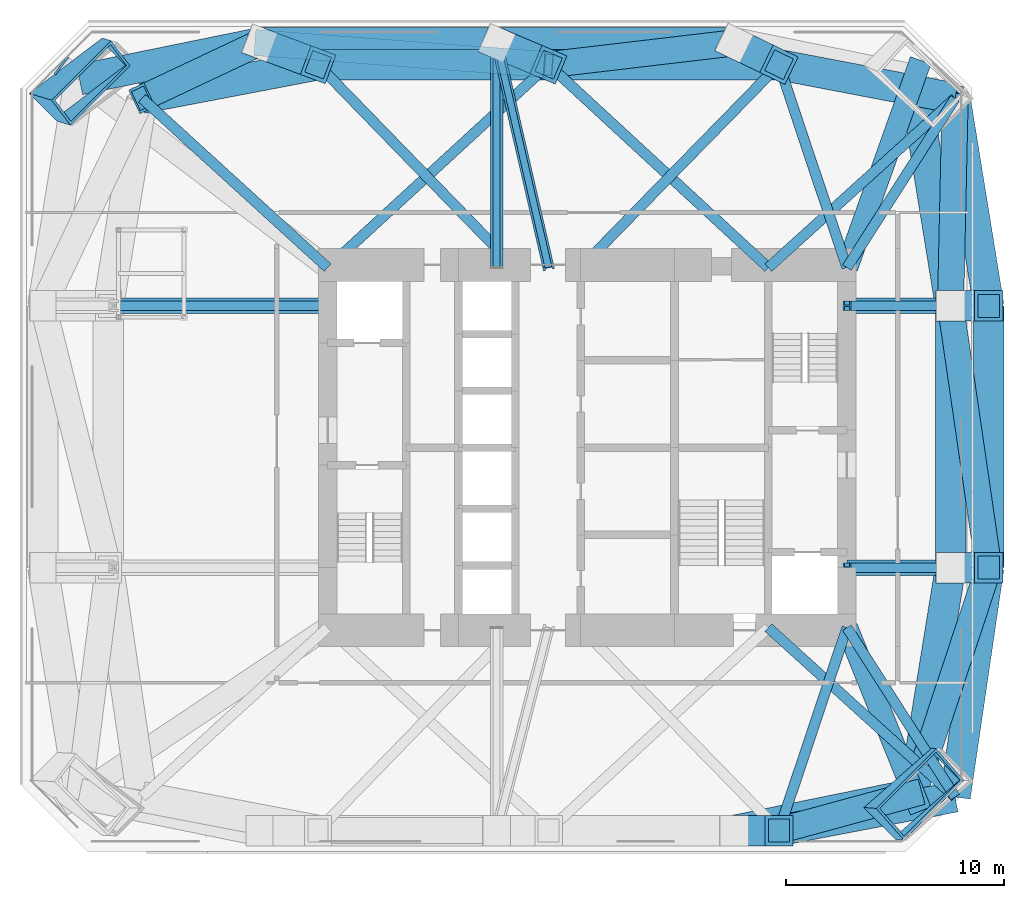
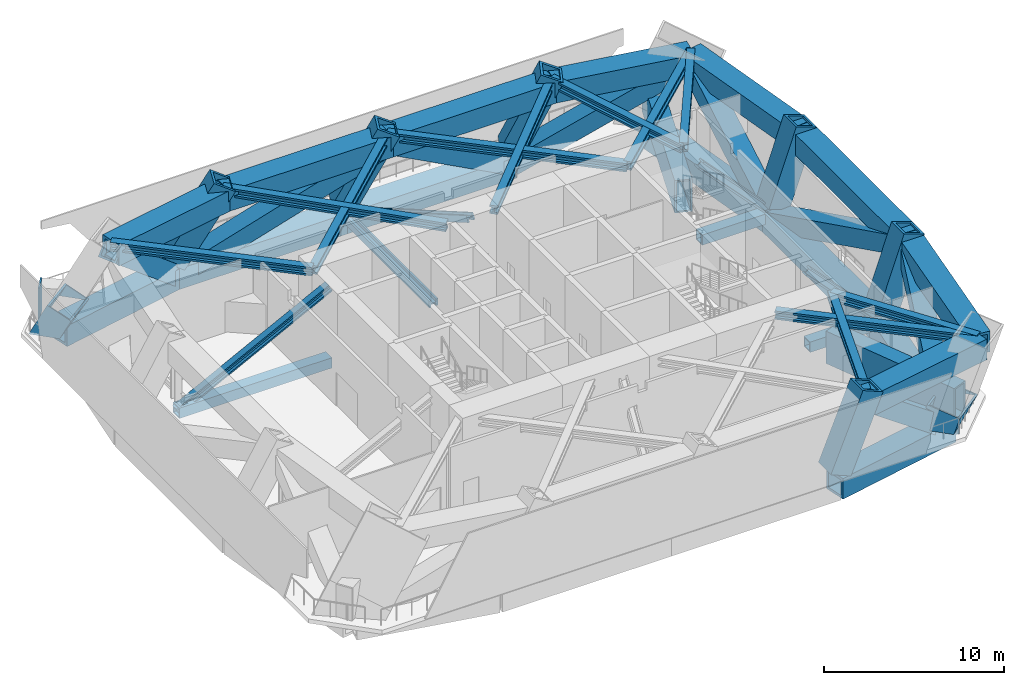
# One storey, part 2 of 11: 51 members, 2 beams.
"""IFC4 building model written with IfcOpenShell, lengths in metres."""

from ifc_helpers import new_model, si_unit, direction, frame, origin, origin_2d, place, context, subcontext, project, spatial, rectangle, hollow_rectangle, i_section, extrude, clip, halfspace, material, material_profile, profile_set, type_object, element, save


model = new_model("IFC4")

# Units and contexts
model_context = context("Model", 3, precision=1e-05, world=origin(), true_north=direction((0.0, 1.0)))
body_context = subcontext(model_context, "Body", "Model", "MODEL_VIEW")
ifc_project = project(units=[si_unit("LENGTHUNIT", "METRE"), si_unit("AREAUNIT", "SQUARE_METRE"), si_unit("VOLUMEUNIT", "CUBIC_METRE"), si_unit("PLANEANGLEUNIT", "RADIAN"), si_unit("MASSUNIT", "GRAM", prefix="KILO")], contexts=[model_context])

# Site, building, storey
site_placement = place(None, origin())
site = spatial("IfcSite", under=ifc_project, at=site_placement, CompositionType="ELEMENT")
building_placement = place(site_placement, origin())
building = spatial("IfcBuilding", under=site, at=building_placement, Name="Jalousie Tower", CompositionType="ELEMENT")
storey_placement = place(building_placement, frame((0.0, 0.0, 144.35009765625)))
storey = spatial("IfcBuildingStorey", under=building, at=storey_placement, Name="L39", CompositionType="ELEMENT", Elevation=144.35009765625)

# Members
ifc_material_1 = material(Name="Steel EN 10025-2 S355J2 plate", Category="steel")
ifc_material_profile_1 = material_profile(ifc_material_1, hollow_rectangle(XDim=1.39990234375, YDim=1.39990234375, WallThickness=0.175048828125, at=origin_2d()), Name="BOX 1400x1400x175")
ifc_profile_set_1 = profile_set([ifc_material_profile_1], Name="Steel EN 10025-2 S355J2 plate")
member_type_1 = type_object("IfcMemberType", Name="BELT TRUSS CHORD BOX 1400x1400x175", PredefinedType="CHORD", material=ifc_profile_set_1)
member_1_placement = place(storey_placement, frame((38.625, 0.949951171875, -0.97998046875), z_axis=(0.97982690954, 0.199848010602, 0.0), x_axis=(-0.199848010602, 0.97982690954, 0.0)))
element("IfcMember", 1, at=member_1_placement, inside=storey, type_object=member_type_1, Name="Belt truss T2 04-05 chord L39", PredefinedType="CHORD", context=body_context, shape_type="SweptSolid", body=[
    extrude(hollow_rectangle(XDim=1.39990234375, YDim=1.39990234375, WallThickness=0.175048828125, at=origin_2d()), origin(), (0.0, 0.0, 1.0), 8.413330078125),
])
member_2_placement = place(storey_placement, frame((40.6875, 0.949951171875, 4.02001953125), z_axis=(0.982284440506, 0.187396045689, 0.0), x_axis=(-0.187396045689, 0.982284440506, 0.0)))
element("IfcMember", 2, at=member_2_placement, inside=storey, type_object=member_type_1, Name="Belt truss T2 04-05 chord L40", PredefinedType="CHORD", context=body_context, shape_type="SweptSolid", body=[
    extrude(hollow_rectangle(XDim=1.39990234375, YDim=1.39990234375, WallThickness=0.175048828125, at=origin_2d()), origin(), (0.0, 0.0, 1.0), 8.218017578125),
])
member_3_placement = place(storey_placement, frame((46.86865234375, 2.63134765625, -0.97998046875), z_axis=(0.160070546476, 0.987105577003, 0.0), x_axis=(-0.987105577003, 0.160070546476, 0.0)))
element("IfcMember", 3, at=member_3_placement, inside=storey, type_object=member_type_1, Name="Belt truss T2 05-06 chord L39", PredefinedType="CHORD", context=body_context, shape_type="SweptSolid", body=[
    extrude(hollow_rectangle(XDim=1.39990234375, YDim=1.39990234375, WallThickness=0.175048828125, at=origin_2d()), origin(), (0.0, 0.0, 1.0), 10.504150390625),
])
member_4_placement = place(storey_placement, frame((48.760009765625, 2.489990234375, 4.02001953125), z_axis=(0.144982486674, 0.989434221441, 0.0), x_axis=(-0.989434221441, 0.144982486674, 0.0)))
element("IfcMember", 4, at=member_4_placement, inside=storey, type_object=member_type_1, Name="Belt truss T2 05-06 chord L40", PredefinedType="CHORD", context=body_context, shape_type="SweptSolid", body=[
    extrude(hollow_rectangle(XDim=1.39990234375, YDim=1.39990234375, WallThickness=0.175048828125, at=origin_2d()), origin(), (0.0, 0.0, 1.0), 10.622314453125),
])
for number, where, z_axis, x_axis, name in (
    (5, (48.550048828125, 13.0, -0.97998046875), (0.0, 1.0, 0.0), (-1.0, 0.0, 0.0), "Belt truss T2 06-07 chord L39"),
    (6, (50.300048828125, 13.0, 4.02001953125), (0.0, 1.0, 0.0), (-1.0, 0.0, 0.0), "Belt truss T2 06-07 chord L40"),
):
    element("IfcMember", number, at=place(storey_placement, frame(where, z_axis=z_axis, x_axis=x_axis)), inside=storey, type_object=member_type_1, Name=name, PredefinedType="CHORD", context=body_context, shape_type="SweptSolid", body=[
        extrude(hollow_rectangle(XDim=1.39990234375, YDim=1.39990234375, WallThickness=0.175048828125, at=origin_2d()), origin(), (0.0, 0.0, 1.0), 12.0),
    ])
member_5_placement = place(storey_placement, frame((48.550048828125, 25.0, -0.97998046875), z_axis=(-0.160070546476, 0.987105577003, 0.0), x_axis=(-0.987105577003, -0.160070546476, 0.0)))
element("IfcMember", 7, at=member_5_placement, inside=storey, type_object=member_type_1, Name="Belt truss T2 07-08 chord L39", PredefinedType="CHORD", context=body_context, shape_type="SweptSolid", body=[
    extrude(hollow_rectangle(XDim=1.39990234375, YDim=1.39990234375, WallThickness=0.175048828125, at=origin_2d()), origin(), (0.0, 0.0, 1.0), 10.504150390625),
])
member_6_placement = place(storey_placement, frame((50.300048828125, 25.0, 4.02001953125), z_axis=(-0.159856263257, 0.987140301628, 0.0), x_axis=(-0.987140301628, -0.159856263257, 0.0)))
element("IfcMember", 8, at=member_6_placement, inside=storey, type_object=member_type_1, Name="Belt truss T2 07-08 chord L40", PredefinedType="CHORD", context=body_context, shape_type="SweptSolid", body=[
    extrude(hollow_rectangle(XDim=1.39990234375, YDim=1.39990234375, WallThickness=0.175048828125, at=origin_2d()), origin(), (0.0, 0.0, 1.0), 9.6337890625),
])
member_7_placement = place(storey_placement, frame((48.760009765625, 34.510009765625, 4.02001953125), z_axis=(-0.982284440506, 0.187396045689, 0.0), x_axis=(-0.187396045689, -0.982284440506, 0.0)))
element("IfcMember", 9, at=member_7_placement, inside=storey, type_object=member_type_1, Name="Belt truss T2 08-09 chord L40", PredefinedType="CHORD", context=body_context, shape_type="SweptSolid", body=[
    extrude(hollow_rectangle(XDim=1.39990234375, YDim=1.39990234375, WallThickness=0.175048828125, at=origin_2d()), origin(), (0.0, 0.0, 1.0), 8.218017578125),
])
member_8_placement = place(storey_placement, frame((38.625, 37.050048828125, -0.97998046875), z_axis=(-1.0, 0.0, 0.0), x_axis=(0.0, -1.0, 0.0)))
element("IfcMember", 10, at=member_8_placement, inside=storey, type_object=member_type_1, Name="Belt truss T2 09-10 chord L39", PredefinedType="CHORD", context=body_context, shape_type="SweptSolid", body=[
    extrude(hollow_rectangle(XDim=1.39990234375, YDim=1.39990234375, WallThickness=0.175048828125, at=origin_2d()), origin(), (0.0, 0.0, 1.0), 10.875),
])
member_9_placement = place(storey_placement, frame((40.6875, 36.050048828125, 4.02001953125), z_axis=(-1.0, 0.0, 0.0), x_axis=(0.0, -1.0, 0.0)))
element("IfcMember", 11, at=member_9_placement, inside=storey, type_object=member_type_1, Name="Belt truss T2 09-10 chord L40", PredefinedType="CHORD", context=body_context, shape_type="SweptSolid", body=[
    extrude(hollow_rectangle(XDim=1.39990234375, YDim=1.39990234375, WallThickness=0.175048828125, at=origin_2d()), origin(), (0.0, 0.0, 1.0), 10.5625),
])
member_10_placement = place(storey_placement, frame((27.75, 37.050048828125, -0.97998046875), z_axis=(-1.0, 0.0, 0.0), x_axis=(0.0, -1.0, 0.0)))
element("IfcMember", 12, at=member_10_placement, inside=storey, type_object=member_type_1, Name="Belt truss T2 10-11 chord L39", PredefinedType="CHORD", context=body_context, shape_type="SweptSolid", body=[
    extrude(hollow_rectangle(XDim=1.39990234375, YDim=1.39990234375, WallThickness=0.175048828125, at=origin_2d()), origin(), (0.0, 0.0, 1.0), 10.875),
])
member_11_placement = place(storey_placement, frame((30.125, 36.050048828125, 4.02001953125), z_axis=(-1.0, 0.0, 0.0), x_axis=(0.0, -1.0, 0.0)))
element("IfcMember", 13, at=member_11_placement, inside=storey, type_object=member_type_1, Name="Belt truss T2 10-11 chord L40", PredefinedType="CHORD", context=body_context, shape_type="SweptSolid", body=[
    extrude(hollow_rectangle(XDim=1.39990234375, YDim=1.39990234375, WallThickness=0.175048828125, at=origin_2d()), origin(), (0.0, 0.0, 1.0), 10.5625),
])
member_12_placement = place(storey_placement, frame((16.875, 37.050048828125, -0.97998046875), z_axis=(-0.97982690954, -0.199848010602, 0.0), x_axis=(0.199848010602, -0.97982690954, 0.0)))
element("IfcMember", 14, at=member_12_placement, inside=storey, type_object=member_type_1, Name="Belt truss T2 11-12 chord L39", PredefinedType="CHORD", context=body_context, shape_type="SweptSolid", body=[
    extrude(hollow_rectangle(XDim=1.39990234375, YDim=1.39990234375, WallThickness=0.175048828125, at=origin_2d()), origin(), (0.0, 0.0, 1.0), 8.413330078125),
])
member_13_placement = place(storey_placement, frame((19.5625, 36.050048828125, 4.02001953125), z_axis=(-0.982284440506, -0.187396045689, 0.0), x_axis=(0.187396045689, -0.982284440506, 0.0)))
element("IfcMember", 15, at=member_13_placement, inside=storey, type_object=member_type_1, Name="Belt truss T2 11-12 chord L40", PredefinedType="CHORD", context=body_context, shape_type="SweptSolid", body=[
    extrude(hollow_rectangle(XDim=1.39990234375, YDim=1.39990234375, WallThickness=0.175048828125, at=origin_2d()), origin(), (0.0, 0.0, 1.0), 8.218017578125),
])
ifc_material_2 = material(Name="Steel EN 10025-2 S355J2 plate", Category="steel")
ifc_material_profile_2 = material_profile(ifc_material_2, hollow_rectangle(XDim=1.199951171875, YDim=1.199951171875, WallThickness=0.125, at=origin_2d()), Name="BOX 1200x1200x125")
ifc_profile_set_2 = profile_set([ifc_material_profile_2], Name="Steel EN 10025-2 S355J2 plate")
member_type_2 = type_object("IfcMemberType", Name="BELT TRUSS DIAGONAL BOX 1200x1200x125", PredefinedType="BRACE", material=ifc_profile_set_2)
member_14_placement = place(storey_placement, frame((40.6875, 0.949951171875, 4.02001953125), z_axis=(0.760652864343, 0.206912721255, -0.615300207826), x_axis=(-0.262482039655, 0.964936878173, 0.0)))
element("IfcMember", 16, at=member_14_placement, inside=storey, type_object=member_type_2, Name="Belt truss T2 04-05 diagonal L39", PredefinedType="BRACE", context=body_context, shape_type="SweptSolid", body=[
    extrude(hollow_rectangle(XDim=1.199951171875, YDim=1.199951171875, WallThickness=0.125, at=origin_2d()), origin(), (0.0, 0.0, 1.0), 8.126220703125),
])
member_15_placement = place(storey_placement, frame((46.86865234375, 2.63134765625, -0.97998046875), z_axis=(0.285668706304, 0.863205261952, 0.416257211321), x_axis=(-0.94936288188, 0.314181664818, 0.0)))
element("IfcMember", 17, at=member_15_placement, inside=storey, type_object=member_type_2, Name="Belt truss T2 05-06 diagonal L39", PredefinedType="BRACE", context=body_context, shape_type="SweptSolid", body=[
    extrude(hollow_rectangle(XDim=1.199951171875, YDim=1.199951171875, WallThickness=0.125, at=origin_2d()), origin(), (0.0, 0.0, 1.0), 12.01171875),
])
member_16_placement = place(storey_placement, frame((50.300048828125, 13.0, 4.02001953125), z_axis=(-0.133412012142, 0.914825226113, -0.381177177547), x_axis=(-0.989532981063, -0.144306893072, 0.0)))
element("IfcMember", 18, at=member_16_placement, inside=storey, type_object=member_type_2, Name="Belt truss T2 06-07 diagonal L39", PredefinedType="BRACE", context=body_context, shape_type="SweptSolid", body=[
    extrude(hollow_rectangle(XDim=1.199951171875, YDim=1.199951171875, WallThickness=0.125, at=origin_2d()), origin(), (0.0, 0.0, 1.0), 13.1171875),
])
member_17_placement = place(storey_placement, frame((48.550048828125, 25.0, -0.97998046875), z_axis=(0.019537855792, 0.884951275201, 0.465273589097), x_axis=(-0.999756372475, 0.022072509956, 0.0)))
element("IfcMember", 19, at=member_17_placement, inside=storey, type_object=member_type_2, Name="Belt truss T2 07-08 diagonal L39", PredefinedType="BRACE", context=body_context, shape_type="SweptSolid", body=[
    extrude(hollow_rectangle(XDim=1.199951171875, YDim=1.199951171875, WallThickness=0.125, at=origin_2d()), origin(), (0.0, 0.0, 1.0), 10.746337890625),
])
member_18_placement = place(storey_placement, frame((48.760009765625, 34.510009765625, 4.02001953125), z_axis=(-0.87497592449, 0.219286717857, -0.431660128961), x_axis=(-0.243101870273, -0.970000763231, 0.0)))
element("IfcMember", 20, at=member_18_placement, inside=storey, type_object=member_type_2, Name="Belt truss T2 08-09 diagonal L39", PredefinedType="BRACE", context=body_context, shape_type="SweptSolid", body=[
    extrude(hollow_rectangle(XDim=1.199951171875, YDim=1.199951171875, WallThickness=0.125, at=origin_2d()), origin(), (0.0, 0.0, 1.0), 11.583251953125),
])
member_19_placement = place(storey_placement, frame((38.625, 37.050048828125, -0.97998046875), z_axis=(-0.857536562919, -0.100886654461, 0.504433272305), x_axis=(0.116841247567, -0.993150604323, 0.0)))
element("IfcMember", 21, at=member_19_placement, inside=storey, type_object=member_type_2, Name="Belt truss T2 09-10 diagonal L39", PredefinedType="BRACE", context=body_context, shape_type="SweptSolid", body=[
    extrude(hollow_rectangle(XDim=1.199951171875, YDim=1.199951171875, WallThickness=0.125, at=origin_2d()), origin(), (0.0, 0.0, 1.0), 9.912109375),
])
member_20_placement = place(storey_placement, frame((30.125, 36.050048828125, 4.02001953125), z_axis=(-0.933277960705, 0.070436072506, -0.35218036253), x_axis=(-0.075257669471, -0.997164120487, 0.0)))
element("IfcMember", 22, at=member_20_placement, inside=storey, type_object=member_type_2, Name="Belt truss T2 10-11 diagonal L39", PredefinedType="BRACE", context=body_context, shape_type="SweptSolid", body=[
    extrude(hollow_rectangle(XDim=1.199951171875, YDim=1.199951171875, WallThickness=0.125, at=origin_2d()), origin(), (0.0, 0.0, 1.0), 14.197265625),
])
member_21_placement = place(storey_placement, frame((16.875, 37.050048828125, -0.97998046875), z_axis=(-0.69260860129, -0.326694468324, 0.643089457063), x_axis=(0.426610448533, -0.904435473211, 0.0)))
element("IfcMember", 23, at=member_21_placement, inside=storey, type_object=member_type_2, Name="Belt truss T2 11-12 diagonal L39", PredefinedType="BRACE", context=body_context, shape_type="SweptSolid", body=[
    extrude(hollow_rectangle(XDim=1.199951171875, YDim=1.199951171875, WallThickness=0.125, at=origin_2d()), origin(), (0.0, 0.0, 1.0), 7.77490234375),
])
ifc_material_3 = material(Name="Steel ASTM A572 Grade 50 plate", Category="steel")
ifc_material_profile_3 = material_profile(ifc_material_3, rectangle(XDim=1.0, YDim=2.199951171875, at=origin_2d()), Name="END PLATE 1000x2200x100")
ifc_profile_set_3 = profile_set([ifc_material_profile_3], Name="Steel ASTM A572 Grade 50 plate")
member_type_3 = type_object("IfcMemberType", Name="END PLATE 1000x2200x100", PredefinedType="MEMBER", material=ifc_profile_set_3)
member_22_placement = place(storey_placement, frame((7.7548828125, 36.033203125, 1.099853515625), z_axis=(0.795879841968, -0.605454603706, 0.0), x_axis=(0.605454603706, 0.795879841968, 0.0)))
element("IfcMember", 24, at=member_22_placement, inside=storey, type_object=member_type_3, Name="Kink collector end plate 12 L39", PredefinedType="MEMBER", context=body_context, shape_type="SweptSolid", body=[
    extrude(rectangle(XDim=1.0, YDim=2.199951171875, at=origin_2d()), origin(), (0.0, 0.0, 1.0), 0.10009765625),
])

# Beams
ifc_material_4 = material(Name="Steel ASTM A572 Grade 50 plate", Category="steel")
ifc_material_profile_4 = material_profile(ifc_material_4, hollow_rectangle(XDim=1.0, YDim=2.199951171875, WallThickness=0.10009765625, at=origin_2d()), Name="BOX 2200x1000x100")
ifc_profile_set_4 = profile_set([ifc_material_profile_4], Name="Steel ASTM A572 Grade 50 plate")
beam_type = type_object("IfcBeamType", Name="KINK COLLECTOR BOX 2200x1000x100", PredefinedType="BEAM", material=ifc_profile_set_4)
beam_1_placement = place(storey_placement, frame((47.18310546875, 1.8505859375, 1.099853515625), z_axis=(-0.373606976948, 0.927587099294, 0.0), x_axis=(-0.927587099294, -0.373606976948, 0.0)))
element("IfcBeam", 25, at=beam_1_placement, inside=storey, type_object=beam_type, Name="Kink collector 05 L39", PredefinedType="BEAM", context=body_context, shape_type="SweptSolid", body=[
    extrude(hollow_rectangle(XDim=1.0, YDim=2.199951171875, WallThickness=0.10009765625, at=origin_2d()), origin(), (0.0, 0.0, 1.0), 9.05517578125),
])
beam_2_placement = place(storey_placement, frame((47.182373046875, 36.249755859375, 1.099853515625), z_axis=(-0.335417538119, -0.942069570214, 0.0), x_axis=(0.942069570214, -0.335417538119, 0.0)))
element("IfcBeam", 26, at=beam_2_placement, inside=storey, type_object=beam_type, Name="Kink collector 08 L39", PredefinedType="BEAM", context=body_context, shape_type="SweptSolid", body=[
    extrude(hollow_rectangle(XDim=1.0, YDim=2.199951171875, WallThickness=0.10009765625, at=origin_2d()), origin(), (0.0, 0.0, 1.0), 10.083984375),
])

# Members
ifc_material_5 = material(Name="Steel ASTM A992 Grade 50", Category="steel")
ifc_material_profile_5 = material_profile(ifc_material_5, i_section(OverallWidth=0.472412109375, OverallDepth=0.5791015625, WebThickness=0.094970703125, FlangeThickness=0.1298828125, at=origin_2d()), Name="W14X808")
ifc_profile_set_5 = profile_set([ifc_material_profile_5], Name="Steel ASTM A992 Grade 50")
member_type_4 = type_object("IfcMemberType", Name="KINK FLOOR TRUSS DIAGONAL W14X808", PredefinedType="BRACE", material=ifc_profile_set_5)
member_23_placement = place(storey_placement, frame((40.6875, 0.949951171875, 4.430419921875), z_axis=(0.317377651088, 0.948299228403, 0.0), x_axis=(-0.948299228403, 0.317377651088, 0.0)))
element("IfcMember", 27, at=member_23_placement, inside=storey, type_object=member_type_4, Name="Kink floor truss L40 04 diagonal", PredefinedType="BRACE", context=body_context, shape_type="SweptSolid", body=[
    extrude(i_section(OverallWidth=0.472412109375, OverallDepth=0.5791015625, WebThickness=0.094970703125, FlangeThickness=0.1298828125, at=origin_2d()), origin(), (0.0, 0.0, 1.0), 9.80712890625),
])
member_24_placement = place(storey_placement, frame((48.760009765625, 2.489990234375, 4.430419921875), z_axis=(-0.740881141942, 0.67163616156, 0.0), x_axis=(-0.67163616156, -0.740881141942, 0.0)))
element("IfcMember", 28, at=member_24_placement, inside=storey, type_object=member_type_4, Name="Kink floor truss L40 05 diagonal", PredefinedType="BRACE", context=body_context, shape_type="SweptSolid", body=[
    extrude(i_section(OverallWidth=0.472412109375, OverallDepth=0.5791015625, WebThickness=0.094970703125, FlangeThickness=0.1298828125, at=origin_2d()), origin(), (0.0, 0.0, 1.0), 11.553955078125),
])
member_25_placement = place(storey_placement, frame((48.760009765625, 2.489990234375, 4.430419921875), z_axis=(-0.538557122949, 0.842589001424, 0.0), x_axis=(-0.842589001424, -0.538557122949, 0.0)))
element("IfcMember", 29, at=member_25_placement, inside=storey, type_object=member_type_4, Name="Kink floor truss L40 05 diagonal", PredefinedType="BRACE", context=body_context, shape_type="SweptSolid", body=[
    extrude(i_section(OverallWidth=0.472412109375, OverallDepth=0.5791015625, WebThickness=0.094970703125, FlangeThickness=0.1298828125, at=origin_2d()), origin(), (0.0, 0.0, 1.0), 9.209716796875),
])
member_26_placement = place(storey_placement, frame((48.760009765625, 34.510009765625, 4.430419921875), z_axis=(-0.740881141942, -0.67163616156, 0.0), x_axis=(0.67163616156, -0.740881141942, 0.0)))
element("IfcMember", 30, at=member_26_placement, inside=storey, type_object=member_type_4, Name="Kink floor truss L40 08 diagonal", PredefinedType="BRACE", context=body_context, shape_type="SweptSolid", body=[
    extrude(i_section(OverallWidth=0.472412109375, OverallDepth=0.5791015625, WebThickness=0.094970703125, FlangeThickness=0.1298828125, at=origin_2d()), origin(), (0.0, 0.0, 1.0), 11.553955078125),
])
member_27_placement = place(storey_placement, frame((48.760009765625, 34.510009765625, 4.430419921875), z_axis=(-0.538557122949, -0.842589001424, 0.0), x_axis=(0.842589001424, -0.538557122949, 0.0)))
element("IfcMember", 31, at=member_27_placement, inside=storey, type_object=member_type_4, Name="Kink floor truss L40 08 diagonal", PredefinedType="BRACE", context=body_context, shape_type="SweptSolid", body=[
    extrude(i_section(OverallWidth=0.472412109375, OverallDepth=0.5791015625, WebThickness=0.094970703125, FlangeThickness=0.1298828125, at=origin_2d()), origin(), (0.0, 0.0, 1.0), 9.209716796875),
])
member_28_placement = place(storey_placement, frame((40.6875, 36.050048828125, 4.430419921875), z_axis=(-0.698882526017, -0.715236474761, 0.0), x_axis=(0.715236474761, -0.698882526017, 0.0)))
element("IfcMember", 32, at=member_28_placement, inside=storey, type_object=member_type_4, Name="Kink floor truss L40 09 diagonal", PredefinedType="BRACE", context=body_context, shape_type="SweptSolid", body=[
    extrude(i_section(OverallWidth=0.472412109375, OverallDepth=0.5791015625, WebThickness=0.094970703125, FlangeThickness=0.1298828125, at=origin_2d()), origin(), (0.0, 0.0, 1.0), 13.002685546875),
])
member_29_placement = place(storey_placement, frame((40.6875, 36.050048828125, 4.430419921875), z_axis=(0.317377651088, -0.948299228403, 0.0), x_axis=(0.948299228403, 0.317377651088, 0.0)))
element("IfcMember", 33, at=member_29_placement, inside=storey, type_object=member_type_4, Name="Kink floor truss L40 09 diagonal", PredefinedType="BRACE", context=body_context, shape_type="SweptSolid", body=[
    extrude(i_section(OverallWidth=0.472412109375, OverallDepth=0.5791015625, WebThickness=0.094970703125, FlangeThickness=0.1298828125, at=origin_2d()), origin(), (0.0, 0.0, 1.0), 9.80712890625),
])
member_30_placement = place(storey_placement, frame((30.125, 36.050048828125, 4.430419921875), z_axis=(-0.736472650749, -0.676467319757, 0.0), x_axis=(0.676467319757, -0.736472650749, 0.0)))
element("IfcMember", 34, at=member_30_placement, inside=storey, type_object=member_type_4, Name="Kink floor truss L40 10 diagonal", PredefinedType="BRACE", context=body_context, shape_type="SweptSolid", body=[
    extrude(i_section(OverallWidth=0.472412109375, OverallDepth=0.5791015625, WebThickness=0.094970703125, FlangeThickness=0.1298828125, at=origin_2d()), origin(), (0.0, 0.0, 1.0), 13.748046875),
])
member_31_placement = place(storey_placement, frame((30.125, 36.050048828125, 4.430419921875), z_axis=(0.734800031328, -0.678283800455, 0.0), x_axis=(0.678283800455, 0.734800031328, 0.0)))
element("IfcMember", 35, at=member_31_placement, inside=storey, type_object=member_type_4, Name="Kink floor truss L40 10 diagonal", PredefinedType="BRACE", context=body_context, shape_type="SweptSolid", body=[
    extrude(i_section(OverallWidth=0.472412109375, OverallDepth=0.5791015625, WebThickness=0.094970703125, FlangeThickness=0.1298828125, at=origin_2d()), origin(), (0.0, 0.0, 1.0), 13.711181640625),
])
member_32_placement = place(storey_placement, frame((19.5625, 36.050048828125, 4.430419921875), z_axis=(0.696915188325, -0.717153554186, 0.0), x_axis=(0.717153554186, 0.696915188325, 0.0)))
element("IfcMember", 36, at=member_32_placement, inside=storey, type_object=member_type_4, Name="Kink floor truss L40 11 diagonal", PredefinedType="BRACE", context=body_context, shape_type="SweptSolid", body=[
    extrude(i_section(OverallWidth=0.472412109375, OverallDepth=0.5791015625, WebThickness=0.094970703125, FlangeThickness=0.1298828125, at=origin_2d()), origin(), (0.0, 0.0, 1.0), 12.968017578125),
])
member_33_placement = place(storey_placement, frame((11.489990234375, 34.510009765625, 4.430419921875), z_axis=(0.738917661315, -0.673795732991, 0.0), x_axis=(0.673795732991, 0.738917661315, 0.0)))
element("IfcMember", 37, at=member_33_placement, inside=storey, type_object=member_type_4, Name="Kink floor truss L40 12 diagonal", PredefinedType="BRACE", context=body_context, shape_type="SweptSolid", body=[
    extrude(i_section(OverallWidth=0.472412109375, OverallDepth=0.5791015625, WebThickness=0.094970703125, FlangeThickness=0.1298828125, at=origin_2d()), origin(), (0.0, 0.0, 1.0), 11.516845703125),
])
ifc_material_6 = material(Name="Steel EN 10025-2 S355J2 plate", Category="steel")
ifc_material_profile_6 = material_profile(ifc_material_6, hollow_rectangle(XDim=1.60009765625, YDim=4.0, WallThickness=0.125, at=origin_2d()), Name="BOX 4000x1600x125")
ifc_profile_set_6 = profile_set([ifc_material_profile_6], Name="Steel EN 10025-2 S355J2 plate")
member_type_5 = type_object("IfcMemberType", Name="KINK NODE BOX 4000x1600x125", PredefinedType="MEMBER", material=ifc_profile_set_6)
member_34_placement = place(storey_placement, frame((8.12158203125, 35.521728515625, -0.891845703125), z_axis=(0.490871311342, -0.147402448377, 0.858672157412), x_axis=(0.544168674555, -0.717816509053, -0.434303940766)))
element("IfcMember", 38, at=member_34_placement, inside=storey, type_object=member_type_5, Name="Kink node of corner column 12 at +144.350", PredefinedType="MEMBER", context=body_context, shape_type="Clipping", body=[
    clip(extrude(hollow_rectangle(XDim=1.60009765625, YDim=4.0, WallThickness=0.125, at=origin_2d()), origin(), (0.0, 0.0, 1.0), 2.076904296875), halfspace(frame((0.0, 0.0, 1.03857421875), z_axis=(-0.434303940766, -0.272143736142, 0.858672157412)), True)),
])
ifc_material_7 = material(Name="Steel EN 10025-2 S355J2 plate", Category="steel")
ifc_material_profile_7 = material_profile(ifc_material_7, hollow_rectangle(XDim=2.0, YDim=4.0, WallThickness=0.125, at=origin_2d()), Name="BOX 4000x2000x125")
ifc_profile_set_7 = profile_set([ifc_material_profile_7], Name="Steel EN 10025-2 S355J2 plate")
member_type_6 = type_object("IfcMemberType", Name="KINK NODE BOX 4000x2000x125", PredefinedType="MEMBER", material=ifc_profile_set_7)
member_35_placement = place(storey_placement, frame((46.588134765625, 2.65234375, -0.741455078125), z_axis=(0.353782563611, -0.026479808939, 0.934952788863), x_axis=(-0.635339085453, 0.726791789921, 0.260994139015)))
element("IfcMember", 39, at=member_35_placement, inside=storey, type_object=member_type_6, Name="Kink node of corner column 05 at +144.350", PredefinedType="MEMBER", context=body_context, shape_type="Clipping", body=[
    clip(extrude(hollow_rectangle(XDim=2.0, YDim=4.0, WallThickness=0.125, at=origin_2d()), origin(), (0.0, 0.0, 1.0), 1.5859375), halfspace(frame((0.0, 0.0, 0.79296875), z_axis=(0.260994139015, 0.240302605055, 0.934952788863)), True)),
])
ifc_material_8 = material(Name="Steel ASTM A992 Grade 50", Category="steel")
ifc_material_profile_8 = material_profile(ifc_material_8, i_section(OverallWidth=0.45458984375, OverallDepth=0.569091796875, WebThickness=0.077880859375, FlangeThickness=0.124755859375, at=origin_2d()), Name="W14X730")
ifc_profile_set_8 = profile_set([ifc_material_profile_8], Name="Steel ASTM A992 Grade 50")
member_type_7 = type_object("IfcMemberType", Name="NORTH-SOUTH OUTRIGGER CHORD W14X730", PredefinedType="CHORD", material=ifc_profile_set_8)
member_36_placement = place(storey_placement, frame((27.75, 37.050048828125, -0.564697265625), z_axis=(0.0, -1.0, 0.0), x_axis=(0.0, 0.0, 1.0)))
element("IfcMember", 40, at=member_36_placement, inside=storey, type_object=member_type_7, Name="Outrigger T2 N10 chord L39", PredefinedType="CHORD", context=body_context, shape_type="SweptSolid", body=[
    extrude(i_section(OverallWidth=0.45458984375, OverallDepth=0.569091796875, WebThickness=0.077880859375, FlangeThickness=0.124755859375, at=origin_2d()), origin(), (0.0, 0.0, 1.0), 10.300048828125),
])
ifc_material_9 = material(Name="Steel ASTM A992 Grade 50", Category="steel")
ifc_material_profile_9 = material_profile(ifc_material_9, i_section(OverallWidth=0.43701171875, OverallDepth=0.51318359375, WebThickness=0.060546875, FlangeThickness=0.096923828125, at=origin_2d()), Name="W14X550")
ifc_profile_set_9 = profile_set([ifc_material_profile_9], Name="Steel ASTM A992 Grade 50")
member_type_8 = type_object("IfcMemberType", Name="NORTH-SOUTH OUTRIGGER DIAGONAL W14X550", PredefinedType="BRACE", material=ifc_profile_set_9)
member_37_placement = place(storey_placement, frame((27.75, 37.050048828125, -0.564697265625), z_axis=(0.203108976193, -0.880855735673, 0.427597844618), x_axis=(-0.096075145849, 0.416664713015, 0.903969072081)))
element("IfcMember", 41, at=member_37_placement, inside=storey, type_object=member_type_8, Name="Outrigger T2 N10 diagonal L39", PredefinedType="BRACE", context=body_context, shape_type="SweptSolid", body=[
    extrude(i_section(OverallWidth=0.43701171875, OverallDepth=0.51318359375, WebThickness=0.060546875, FlangeThickness=0.096923828125, at=origin_2d()), origin(), (0.0, 0.0, 1.0), 11.693115234375),
])
ifc_material_10 = material(Name="Steel ASTM A572 Grade 50 plate", Category="steel")
ifc_material_profile_10 = material_profile(ifc_material_10, hollow_rectangle(XDim=0.699951171875, YDim=0.699951171875, WallThickness=0.070068359375, at=origin_2d()), Name="BOX 700x700x70")
ifc_profile_set_10 = profile_set([ifc_material_profile_10], Name="Steel ASTM A572 Grade 50 plate")
member_type_9 = type_object("IfcMemberType", Name="OUTRIGGER CHORD BOX 700x700x70", PredefinedType="CHORD", material=ifc_profile_set_10)
member_38_placement = place(storey_placement, frame((10.199951171875, 25.0, -0.630126953125), z_axis=(1.0, 0.0, 0.0), x_axis=(0.0, 1.0, 0.0)))
element("IfcMember", 42, at=member_38_placement, inside=storey, type_object=member_type_9, Name="Outrigger T2 west arm at column 13 chord L39", PredefinedType="CHORD", context=body_context, shape_type="SweptSolid", body=[
    extrude(hollow_rectangle(XDim=0.699951171875, YDim=0.699951171875, WallThickness=0.070068359375, at=origin_2d()), origin(), (0.0, 0.0, 1.0), 9.800048828125),
])
for number, where, z_axis, x_axis, name in (
    (43, (48.550048828125, 13.0, -0.630126953125), (-1.0, 0.0, 0.0), (0.0, -1.0, 0.0), "Outrigger T2 east arm at column 06 chord L39"),
    (44, (48.550048828125, 25.0, -0.630126953125), (-1.0, 0.0, 0.0), (0.0, -1.0, 0.0), "Outrigger T2 east arm at column 07 chord L39"),
):
    element("IfcMember", number, at=place(storey_placement, frame(where, z_axis=z_axis, x_axis=x_axis)), inside=storey, type_object=member_type_9, Name=name, PredefinedType="CHORD", context=body_context, shape_type="SweptSolid", body=[
        extrude(hollow_rectangle(XDim=0.699951171875, YDim=0.699951171875, WallThickness=0.070068359375, at=origin_2d()), origin(), (0.0, 0.0, 1.0), 4.75),
    ])
ifc_material_11 = material(Name="Steel ASTM A992 Grade 50", Category="steel")
ifc_material_profile_11 = material_profile(ifc_material_11, i_section(OverallWidth=0.43701171875, OverallDepth=0.51318359375, WebThickness=0.060546875, FlangeThickness=0.096923828125, at=origin_2d()), Name="W14X550")
ifc_profile_set_11 = profile_set([ifc_material_profile_11], Name="Steel ASTM A992 Grade 50")
member_type_10 = type_object("IfcMemberType", Name="OUTRIGGER DIAGONAL W14X550", PredefinedType="BRACE", material=ifc_profile_set_11)
member_39_placement = place(storey_placement, frame((10.199951171875, 25.0, -0.630126953125), z_axis=(0.890762786381, 0.0, 0.454468545006), x_axis=(0.0, 1.0, 0.0)))
element("IfcMember", 45, at=member_39_placement, inside=storey, type_object=member_type_10, Name="Outrigger T2 west arm at column 13 diagonal L39", PredefinedType="BRACE", context=body_context, shape_type="SweptSolid", body=[
    extrude(i_section(OverallWidth=0.43701171875, OverallDepth=0.51318359375, WebThickness=0.060546875, FlangeThickness=0.096923828125, at=origin_2d()), origin(), (0.0, 0.0, 1.0), 11.001953125),
])
for number, where, z_axis, x_axis, name in (
    (46, (48.550048828125, 13.0, -0.630126953125), (-0.688749461915, 0.0, 0.724999433594), (0.0, -1.0, 0.0), "Outrigger T2 east arm at column 06 diagonal L39"),
    (47, (48.550048828125, 25.0, -0.630126953125), (-0.688749461915, 0.0, 0.724999433594), (0.0, -1.0, 0.0), "Outrigger T2 east arm at column 07 diagonal L39"),
):
    element("IfcMember", number, at=place(storey_placement, frame(where, z_axis=z_axis, x_axis=x_axis)), inside=storey, type_object=member_type_10, Name=name, PredefinedType="BRACE", context=body_context, shape_type="SweptSolid", body=[
        extrude(i_section(OverallWidth=0.43701171875, OverallDepth=0.51318359375, WebThickness=0.060546875, FlangeThickness=0.096923828125, at=origin_2d()), origin(), (0.0, 0.0, 1.0), 6.896484375),
    ])
ifc_material_12 = material(Name="Steel EN 10025-2 S355J2 plate", Category="steel")
ifc_material_profile_12 = material_profile(ifc_material_12, hollow_rectangle(XDim=1.39990234375, YDim=1.39990234375, WallThickness=0.175048828125, at=origin_2d()), Name="BOX 1400x1400x175")
ifc_profile_set_12 = profile_set([ifc_material_profile_12], Name="Steel EN 10025-2 S355J2 plate")
member_type_11 = type_object("IfcMemberType", Name="TRANSFER TRUSS STRUT BOX 1400x1400x175", PredefinedType="STRUT", material=ifc_profile_set_12)
member_40_placement = place(storey_placement, frame((38.625, 0.949951171875, 0.0), z_axis=(0.381330922953, 0.0, 0.924438601098), x_axis=(0.0, 1.0, 0.0)))
element("IfcMember", 48, at=member_40_placement, inside=storey, type_object=member_type_11, Name="Transfer truss T2 strut 04 L39", PredefinedType="STRUT", context=body_context, shape_type="SweptSolid", body=[
    extrude(hollow_rectangle(XDim=1.39990234375, YDim=1.39990234375, WallThickness=0.175048828125, at=origin_2d()), origin(), (0.0, 0.0, 1.0), 5.40869140625),
])
for number, where, z_axis, x_axis, name in (
    (49, (48.550048828125, 13.0, 0.0), (0.330350424728, 0.0, 0.943858356366), (0.0, 1.0, 0.0), "Transfer truss T2 strut 06 L39"),
    (50, (48.550048828125, 25.0, 0.0), (0.330350424728, 0.0, 0.943858356366), (0.0, 1.0, 0.0), "Transfer truss T2 strut 07 L39"),
):
    element("IfcMember", number, at=place(storey_placement, frame(where, z_axis=z_axis, x_axis=x_axis)), inside=storey, type_object=member_type_11, Name=name, PredefinedType="STRUT", context=body_context, shape_type="SweptSolid", body=[
        extrude(hollow_rectangle(XDim=1.39990234375, YDim=1.39990234375, WallThickness=0.175048828125, at=origin_2d()), origin(), (0.0, 0.0, 1.0), 5.29736328125),
    ])
member_41_placement = place(storey_placement, frame((38.625, 37.050048828125, 0.0), z_axis=(0.374975790051, -0.181806443661, 0.909032218306), x_axis=(0.436273506519, 0.899814107196, 0.0)))
element("IfcMember", 51, at=member_41_placement, inside=storey, type_object=member_type_11, Name="Transfer truss T2 strut 09 L39", PredefinedType="STRUT", context=body_context, shape_type="SweptSolid", body=[
    extrude(hollow_rectangle(XDim=1.39990234375, YDim=1.39990234375, WallThickness=0.175048828125, at=origin_2d()), origin(), (0.0, 0.0, 1.0), 5.500244140625),
])
member_42_placement = place(storey_placement, frame((27.75, 37.050048828125, 0.0), z_axis=(0.422222222222, -0.177777777778, 0.888888888889), x_axis=(0.388057000058, 0.921635375138, 0.0)))
element("IfcMember", 52, at=member_42_placement, inside=storey, type_object=member_type_11, Name="Transfer truss T2 strut 10 L39", PredefinedType="STRUT", context=body_context, shape_type="SweptSolid", body=[
    extrude(hollow_rectangle(XDim=1.39990234375, YDim=1.39990234375, WallThickness=0.175048828125, at=origin_2d()), origin(), (0.0, 0.0, 1.0), 5.625),
])
member_43_placement = place(storey_placement, frame((16.875, 37.050048828125, 0.0), z_axis=(0.466263368187, -0.173493346302, 0.86746673151), x_axis=(0.348733712021, 0.937221851058, 0.0)))
element("IfcMember", 53, at=member_43_placement, inside=storey, type_object=member_type_11, Name="Transfer truss T2 strut 11 L39", PredefinedType="STRUT", context=body_context, shape_type="SweptSolid", body=[
    extrude(hollow_rectangle(XDim=1.39990234375, YDim=1.39990234375, WallThickness=0.175048828125, at=origin_2d()), origin(), (0.0, 0.0, 1.0), 5.763916015625),
])

save(model, "model.ifc")
